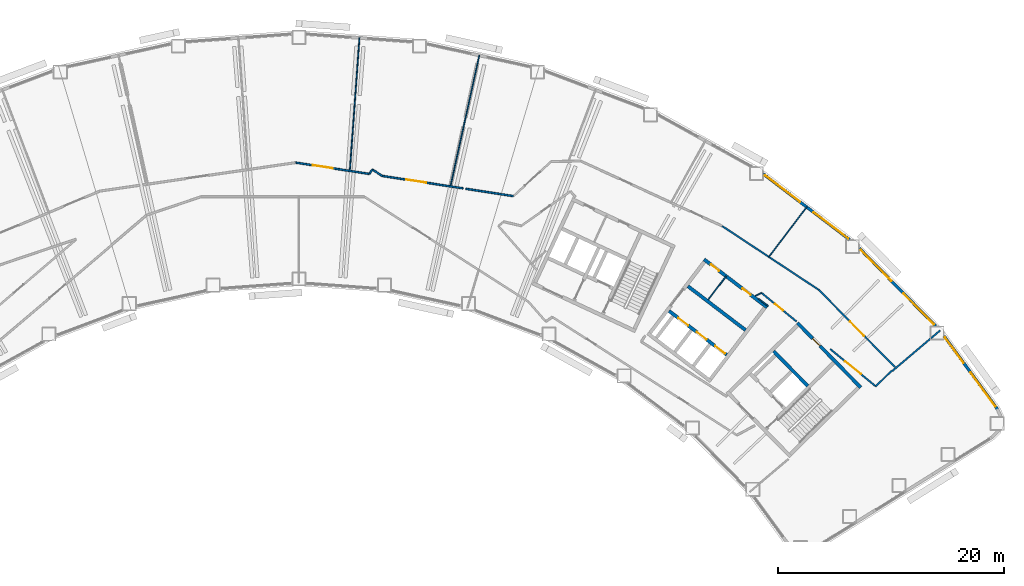
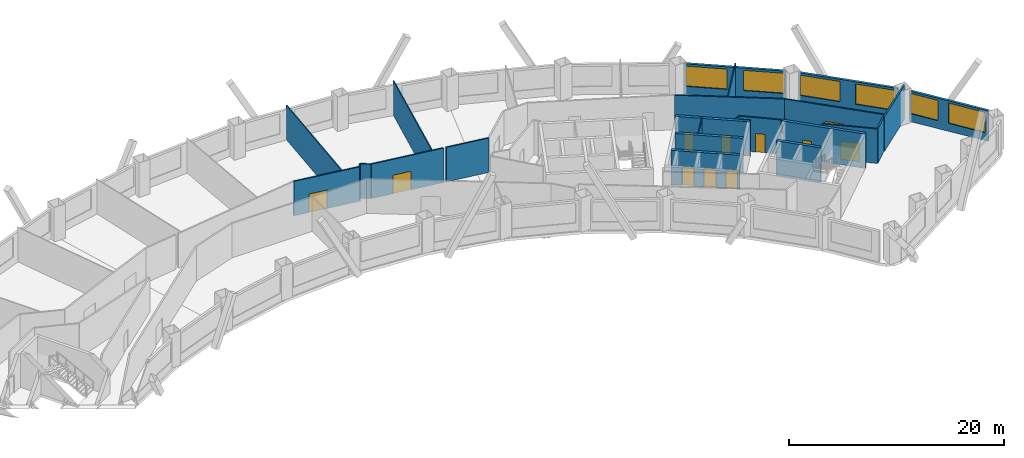
# One storey, part 7 of 11: 25 walls, 11 doors, 6 windows, 17 openings.
"""IFC4 building model written with IfcOpenShell, lengths in metres."""

from ifc_helpers import new_model, si_unit, direction, frame, frame_2d, origin, place, context, subcontext, project, spatial, rectangle, extrude, material, layer, layer_set, type_object, element, fill, save


model = new_model("IFC4")

# Units and contexts
model_context = context("Model", 3, precision=1e-05, world=origin(), true_north=direction((0.0, 1.0)))
body_context = subcontext(model_context, "Body", "Model", "MODEL_VIEW")
ifc_project = project(units=[si_unit("LENGTHUNIT", "METRE"), si_unit("AREAUNIT", "SQUARE_METRE"), si_unit("VOLUMEUNIT", "CUBIC_METRE"), si_unit("PLANEANGLEUNIT", "RADIAN"), si_unit("MASSUNIT", "GRAM", prefix="KILO")], contexts=[model_context])

# Site, building, storey
site_placement = place(None, origin())
site = spatial("IfcSite", under=ifc_project, at=site_placement, CompositionType="ELEMENT")
building_placement = place(site_placement, origin())
building = spatial("IfcBuilding", under=site, at=building_placement, Name="Tuul Gate Civic Tower", CompositionType="ELEMENT")
storey_placement = place(building_placement, frame((0.0, 0.0, 65.39990234375)))
storey = spatial("IfcBuildingStorey", under=building, at=storey_placement, Name="Level 14", CompositionType="ELEMENT", Elevation=65.39990234375)

# Wall
ifc_material_1 = material(Name="Concrete C50/60", Category="concrete")
ifc_layer_1 = layer(ifc_material_1, 0.300048828125)
ifc_layer_set_1 = layer_set([ifc_layer_1], Name="Concrete C50/60")
wall_type_1 = type_object("IfcWallType", Name="Core wall C50/60", PredefinedType="SHEAR", material=ifc_layer_set_1)
wall_1_placement = place(storey_placement, frame((49.737060546875, -12.0849609375, 0.0), z_axis=(0.0, 0.0, 1.0), x_axis=(-0.700002721075, 0.714140175657, 0.0)))
element("IfcWall", 1, at=wall_1_placement, inside=storey, type_object=wall_type_1, Name="Core wall", PredefinedType="SHEAR", context=body_context, shape_type="SweptSolid", body=[
    extrude(rectangle(XDim=4.300048828125, YDim=0.300048828125, at=frame_2d((2.14990234375, 0.0))), origin(), (0.0, 0.0, 1.0), 3.900146484375),
])

# Wall, opening, door
wall_2_placement = place(storey_placement, frame((54.43798828125, -12.23779296875, 0.0), z_axis=(0.0, 0.0, 1.0), x_axis=(-0.700021979774, 0.714121297703, 0.0)))
wall_2 = element("IfcWall", 2, at=wall_2_placement, inside=storey, type_object=wall_type_1, Name="Core wall", PredefinedType="SHEAR", context=body_context, shape_type="SweptSolid", body=[
    extrude(rectangle(XDim=8.0, YDim=0.300048828125, at=frame_2d((4.0, 0.0))), origin(), (0.0, 0.0, 1.0), 3.900146484375),
])
opening_1_placement = place(wall_2_placement, frame((5.175048828125, 0.0, 0.0)))
opening_1 = element("IfcOpeningElement", 3, at=opening_1_placement, cuts=wall_2, Name="Opening D-D26", PredefinedType="OPENING", context=body_context, shape_type="SweptSolid", body=[
    extrude(rectangle(XDim=0.89990234375, YDim=2.10009765625, at=frame_2d((0.449951171875, 1.050048828125))), frame((0.0, 0.16015625, 0.0), z_axis=(0.0, -1.0, 0.0), x_axis=(1.0, 0.0, 0.0)), (0.0, 0.0, 1.0), 0.320068359375),
])
ifc_material_2 = material(Name="Timber door leaf", Category="wood")
door_type_1 = type_object("IfcDoorType", Name="Door D09", OperationType="NOTDEFINED", PredefinedType="DOOR", material=ifc_material_2)
door_1_placement = place(opening_1_placement, origin())
door_1 = element("IfcDoor", 4, at=door_1_placement, inside=storey, type_object=door_type_1, Name="Door D-D26", OperationType="SINGLE_SWING_LEFT", OverallHeight=2.10009765625, OverallWidth=0.89990234375, PredefinedType="DOOR", context=body_context, shape_type="SweptSolid", body=[
    extrude(rectangle(XDim=0.89990234375, YDim=2.10009765625, at=frame_2d((0.449951171875, 1.050048828125))), frame((0.0, 0.02490234375, 0.0), z_axis=(0.0, -1.0, 0.0), x_axis=(1.0, 0.0, 0.0)), (0.0, 0.0, 1.0), 0.050048828125),
])
fill(opening_1, door_1)

# Walls
ifc_material_3 = material(Name="Gypsum board partition")
ifc_layer_2 = layer(ifc_material_3, 0.14990234375)
ifc_layer_set_2 = layer_set([ifc_layer_2], Name="Gypsum board partition")
wall_type_2 = type_object("IfcWallType", Name="Corridor wall P150", PredefinedType="PARTITIONING", material=ifc_layer_set_2)
wall_3_placement = place(storey_placement, frame((57.220703125, -10.765380859375, 0.0), z_axis=(0.0, 0.0, 1.0), x_axis=(0.762756963467, 0.646685251635, 0.0)))
element("IfcWall", 5, at=wall_3_placement, inside=storey, type_object=wall_type_2, Name="p005", PredefinedType="PARTITIONING", context=body_context, shape_type="SweptSolid", body=[
    extrude(rectangle(XDim=5.521240234375, YDim=0.14990234375, at=frame_2d((2.7607421875, 0.0))), origin(), (0.0, 0.0, 1.0), 3.900146484375),
])
wall_4_placement = place(storey_placement, frame((55.755859375, -12.125, 0.0), z_axis=(0.0, 0.0, 1.0), x_axis=(0.712114170621, 0.702063678024, 0.0)))
element("IfcWall", 6, at=wall_4_placement, inside=storey, type_object=wall_type_2, Name="p006", PredefinedType="PARTITIONING", context=body_context, shape_type="SweptSolid", body=[
    extrude(rectangle(XDim=1.991943359375, YDim=0.14990234375, at=frame_2d((0.99609375, 0.0))), origin(), (0.0, 0.0, 1.0), 3.900146484375),
])

# Wall, opening, door
wall_5_placement = place(storey_placement, frame((50.732421875, -3.612060546875, 0.0), z_axis=(0.0, 0.0, 1.0), x_axis=(0.702111461546, -0.712067058335, 0.0)))
wall_5 = element("IfcWall", 7, at=wall_5_placement, inside=storey, type_object=wall_type_2, Name="p007", PredefinedType="PARTITIONING", context=body_context, shape_type="SweptSolid", body=[
    extrude(rectangle(XDim=9.58837890625, YDim=0.14990234375, at=frame_2d((4.794189453125, 0.0))), origin(), (0.0, 0.0, 1.0), 3.900146484375),
])
opening_2_placement = place(wall_5_placement, frame((3.894287109375, 0.0, 0.0)))
opening_2 = element("IfcOpeningElement", 8, at=opening_2_placement, cuts=wall_5, Name="Opening D-D01", PredefinedType="OPENING", context=body_context, shape_type="SweptSolid", body=[
    extrude(rectangle(XDim=1.800048828125, YDim=2.10009765625, at=frame_2d((0.89990234375, 1.050048828125))), frame((0.0, 0.0849609375, 0.0), z_axis=(0.0, -1.0, 0.0), x_axis=(1.0, 0.0, 0.0)), (0.0, 0.0, 1.0), 0.169921875),
])
ifc_material_4 = material(Name="Timber door leaf, double", Category="wood")
door_type_2 = type_object("IfcDoorType", Name="Door D18", OperationType="DOUBLE_DOOR_SINGLE_SWING", PredefinedType="DOOR", material=ifc_material_4)
door_2_placement = place(opening_2_placement, origin())
door_2 = element("IfcDoor", 9, at=door_2_placement, inside=storey, type_object=door_type_2, Name="Door D-D01", OperationType="DOUBLE_DOOR_SINGLE_SWING", OverallHeight=2.10009765625, OverallWidth=1.800048828125, PredefinedType="DOOR", context=body_context, shape_type="SweptSolid", body=[
    extrude(rectangle(XDim=1.800048828125, YDim=2.10009765625, at=frame_2d((0.89990234375, 1.050048828125))), frame((0.0, 0.02490234375, 0.0), z_axis=(0.0, -1.0, 0.0), x_axis=(1.0, 0.0, 0.0)), (0.0, 0.0, 1.0), 0.050048828125),
])
fill(opening_2, door_2)

# Wall
wall_6_placement = place(storey_placement, frame((42.18701171875, 2.031005859375, 0.0), z_axis=(0.0, 0.0, 1.0), x_axis=(0.83447433261, -0.551046811274, 0.0)))
element("IfcWall", 10, at=wall_6_placement, inside=storey, type_object=wall_type_2, Name="p008", PredefinedType="PARTITIONING", context=body_context, shape_type="SweptSolid", body=[
    extrude(rectangle(XDim=10.2392578125, YDim=0.14990234375, at=frame_2d((5.11962890625, 0.0))), origin(), (0.0, 0.0, 1.0), 3.900146484375),
])

# Wall, opening, door
wall_7_placement = place(storey_placement, frame((4.53759765625, 7.633056640625, 0.0), z_axis=(0.0, 0.0, 1.0), x_axis=(0.988356636403, -0.152155050121, 0.0)))
wall_7 = element("IfcWall", 11, at=wall_7_placement, inside=storey, type_object=wall_type_2, Name="p015", PredefinedType="PARTITIONING", context=body_context, shape_type="SweptSolid", body=[
    extrude(rectangle(XDim=6.56103515625, YDim=0.14990234375, at=frame_2d((3.280517578125, 0.0))), origin(), (0.0, 0.0, 1.0), 3.900146484375),
])
opening_3_placement = place(wall_7_placement, frame((1.51220703125, 0.0, 0.0)))
opening_3 = element("IfcOpeningElement", 12, at=opening_3_placement, cuts=wall_7, Name="Opening D-D06", PredefinedType="OPENING", context=body_context, shape_type="SweptSolid", body=[
    extrude(rectangle(XDim=1.800048828125, YDim=2.10009765625, at=frame_2d((0.89990234375, 1.050048828125))), frame((0.0, 0.0849609375, 0.0), z_axis=(0.0, -1.0, 0.0), x_axis=(1.0, 0.0, 0.0)), (0.0, 0.0, 1.0), 0.169921875),
])
door_3_placement = place(opening_3_placement, origin())
door_3 = element("IfcDoor", 13, at=door_3_placement, inside=storey, type_object=door_type_2, Name="Door D-D06", OperationType="DOUBLE_DOOR_SINGLE_SWING", OverallHeight=2.10009765625, OverallWidth=1.800048828125, PredefinedType="DOOR", context=body_context, shape_type="SweptSolid", body=[
    extrude(rectangle(XDim=1.800048828125, YDim=2.10009765625, at=frame_2d((0.89990234375, 1.050048828125))), frame((0.0, 0.02490234375, 0.0), z_axis=(0.0, -1.0, 0.0), x_axis=(1.0, 0.0, 0.0)), (0.0, 0.0, 1.0), 0.050048828125),
])
fill(opening_3, door_3)

wall_8_placement = place(storey_placement, frame((12.17724609375, 6.456787109375, 0.0), z_axis=(0.0, 0.0, 1.0), x_axis=(0.988356444346, -0.15215629767, 0.0)))
wall_8 = element("IfcWall", 14, at=wall_8_placement, inside=storey, type_object=wall_type_2, Name="p016", PredefinedType="PARTITIONING", context=body_context, shape_type="SweptSolid", body=[
    extrude(rectangle(XDim=7.21875, YDim=0.14990234375, at=frame_2d((3.609375, 0.0))), origin(), (0.0, 0.0, 1.0), 3.900146484375),
])
opening_4_placement = place(wall_8_placement, frame((2.14208984375, 0.0, 0.0)))
opening_4 = element("IfcOpeningElement", 15, at=opening_4_placement, cuts=wall_8, Name="Opening D-D05", PredefinedType="OPENING", context=body_context, shape_type="SweptSolid", body=[
    extrude(rectangle(XDim=1.800048828125, YDim=2.10009765625, at=frame_2d((0.89990234375, 1.050048828125))), frame((0.0, 0.0849609375, 0.0), z_axis=(0.0, -1.0, 0.0), x_axis=(1.0, 0.0, 0.0)), (0.0, 0.0, 1.0), 0.169921875),
])
door_4_placement = place(opening_4_placement, origin())
door_4 = element("IfcDoor", 16, at=door_4_placement, inside=storey, type_object=door_type_2, Name="Door D-D05", OperationType="DOUBLE_DOOR_SINGLE_SWING", OverallHeight=2.10009765625, OverallWidth=1.800048828125, PredefinedType="DOOR", context=body_context, shape_type="SweptSolid", body=[
    extrude(rectangle(XDim=1.800048828125, YDim=2.10009765625, at=frame_2d((0.89990234375, 1.050048828125))), frame((0.0, 0.02490234375, 0.0), z_axis=(0.0, -1.0, 0.0), x_axis=(1.0, 0.0, 0.0)), (0.0, 0.0, 1.0), 0.050048828125),
])
fill(opening_4, door_4)

# Walls
wall_9_placement = place(storey_placement, frame((19.557861328125, 5.3203125, 0.0), z_axis=(0.0, 0.0, 1.0), x_axis=(0.988357045935, -0.152152389894, 0.0)))
element("IfcWall", 17, at=wall_9_placement, inside=storey, type_object=wall_type_2, Name="p017", PredefinedType="PARTITIONING", context=body_context, shape_type="SweptSolid", body=[
    extrude(rectangle(XDim=4.2392578125, YDim=0.14990234375, at=frame_2d((2.11962890625, 0.0))), origin(), (0.0, 0.0, 1.0), 3.900146484375),
])
wall_10_placement = place(storey_placement, frame((11.286865234375, 7.02490234375, 0.0), z_axis=(0.0, 0.0, 1.0), x_axis=(0.842191023911, -0.539179264478, 0.0)))
element("IfcWall", 18, at=wall_10_placement, inside=storey, type_object=wall_type_2, Name="p020", PredefinedType="PARTITIONING", context=body_context, shape_type="SweptSolid", body=[
    extrude(rectangle(XDim=1.04833984375, YDim=0.14990234375, at=frame_2d((0.524169921875, 0.0))), origin(), (0.0, 0.0, 1.0), 3.900146484375),
])
wall_11_placement = place(storey_placement, frame((11.0419921875, 6.6435546875, 0.0), z_axis=(0.0, 0.0, 1.0), x_axis=(0.539421014739, 0.842036204007, 0.0)))
element("IfcWall", 19, at=wall_11_placement, inside=storey, type_object=wall_type_2, Name="p022", PredefinedType="PARTITIONING", context=body_context, shape_type="SweptSolid", body=[
    extrude(rectangle(XDim=0.45263671875, YDim=0.14990234375, at=frame_2d((0.226318359375, 0.0))), origin(), (0.0, 0.0, 1.0), 3.900146484375),
])

# Wall, opening, door
wall_12_placement = place(storey_placement, frame((45.670166015625, -3.87744140625, 0.0), z_axis=(0.0, 0.0, 1.0), x_axis=(0.774123920391, -0.633034087454, 0.0)))
wall_12 = element("IfcWall", 20, at=wall_12_placement, inside=storey, type_object=wall_type_2, Name="p061", PredefinedType="PARTITIONING", context=body_context, shape_type="SweptSolid", body=[
    extrude(rectangle(XDim=3.981689453125, YDim=0.14990234375, at=frame_2d((1.99072265625, 0.0))), origin(), (0.0, 0.0, 1.0), 3.900146484375),
])
opening_5_placement = place(wall_12_placement, frame((1.541015625, 0.0, 0.0)))
opening_5 = element("IfcOpeningElement", 21, at=opening_5_placement, cuts=wall_12, Name="Opening D-D19", PredefinedType="OPENING", context=body_context, shape_type="SweptSolid", body=[
    extrude(rectangle(XDim=0.89990234375, YDim=2.10009765625, at=frame_2d((0.449951171875, 1.050048828125))), frame((0.0, 0.0849609375, 0.0), z_axis=(0.0, -1.0, 0.0), x_axis=(1.0, 0.0, 0.0)), (0.0, 0.0, 1.0), 0.169921875),
])
door_5_placement = place(opening_5_placement, frame((0.89990234375, 0.0, 0.0), z_axis=(0.0, 0.0, 1.0), x_axis=(-1.0, 0.0, 0.0)))
door_5 = element("IfcDoor", 22, at=door_5_placement, inside=storey, type_object=door_type_1, Name="Door D-D19", OperationType="SINGLE_SWING_LEFT", OverallHeight=2.10009765625, OverallWidth=0.89990234375, PredefinedType="DOOR", context=body_context, shape_type="SweptSolid", body=[
    extrude(rectangle(XDim=0.89990234375, YDim=2.10009765625, at=frame_2d((0.449951171875, 1.050048828125))), frame((0.0, 0.02490234375, 0.0), z_axis=(0.0, -1.0, 0.0), x_axis=(1.0, 0.0, 0.0)), (0.0, 0.0, 1.0), 0.050048828125),
])
fill(opening_5, door_5)

wall_13_placement = place(storey_placement, frame((51.736328125, -8.838134765625, 0.0), z_axis=(0.0, 0.0, 1.0), x_axis=(0.77413114954, -0.633025246979, 0.0)))
wall_13 = element("IfcWall", 23, at=wall_13_placement, inside=storey, type_object=wall_type_2, Name="p062", PredefinedType="PARTITIONING", context=body_context, shape_type="SweptSolid", body=[
    extrude(rectangle(XDim=5.1923828125, YDim=0.14990234375, at=frame_2d((2.59619140625, 0.0))), origin(), (0.0, 0.0, 1.0), 3.900146484375),
])
opening_6_placement = place(wall_13_placement, frame((1.6962890625, 0.0, 0.0)))
opening_6 = element("IfcOpeningElement", 24, at=opening_6_placement, cuts=wall_13, Name="Opening D-D21", PredefinedType="OPENING", context=body_context, shape_type="SweptSolid", body=[
    extrude(rectangle(XDim=1.800048828125, YDim=2.10009765625, at=frame_2d((0.89990234375, 1.050048828125))), frame((0.0, 0.0849609375, 0.0), z_axis=(0.0, -1.0, 0.0), x_axis=(1.0, 0.0, 0.0)), (0.0, 0.0, 1.0), 0.169921875),
])
door_6_placement = place(opening_6_placement, origin())
door_6 = element("IfcDoor", 25, at=door_6_placement, inside=storey, type_object=door_type_2, Name="Door D-D21", OperationType="DOUBLE_DOOR_SINGLE_SWING", OverallHeight=2.10009765625, OverallWidth=1.800048828125, PredefinedType="DOOR", context=body_context, shape_type="SweptSolid", body=[
    extrude(rectangle(XDim=1.800048828125, YDim=2.10009765625, at=frame_2d((0.89990234375, 1.050048828125))), frame((0.0, 0.02490234375, 0.0), z_axis=(0.0, -1.0, 0.0), x_axis=(1.0, 0.0, 0.0)), (0.0, 0.0, 1.0), 0.050048828125),
])
fill(opening_6, door_6)

# Wall, openings, windows
ifc_material_5 = material(Name="Precast concrete C40/50", Category="concrete")
ifc_layer_3 = layer(ifc_material_5, 0.25)
ifc_layer_set_3 = layer_set([ifc_layer_3], Name="Precast concrete C40/50")
wall_type_3 = type_object("IfcWallType", Name="External wall", PredefinedType="STANDARD", material=ifc_layer_set_3)
wall_14_placement = place(storey_placement, frame((66.498046875, -14.138671875, 0.0), z_axis=(0.0, 0.0, 1.0), x_axis=(-0.589838269776, 0.807521402508, 0.0)))
wall_14 = element("IfcWall", 26, at=wall_14_placement, inside=storey, type_object=wall_type_3, Name="External wall", PredefinedType="STANDARD", context=body_context, shape_type="SweptSolid", body=[
    extrude(rectangle(XDim=7.998779296875, YDim=0.25, at=frame_2d((3.99951171875, 0.0))), origin(), (0.0, 0.0, 1.0), 3.4501953125),
])
opening_7_placement = place(wall_14_placement, frame((0.301025390625, 0.0, 0.89990234375)))
opening_7 = element("IfcOpeningElement", 27, at=opening_7_placement, cuts=wall_14, Name="Opening W21", PredefinedType="OPENING", context=body_context, shape_type="SweptSolid", body=[
    extrude(rectangle(XDim=3.699951171875, YDim=2.300048828125, at=frame_2d((1.85009765625, 1.14990234375))), frame((0.0, 0.135009765625, 0.0), z_axis=(0.0, -1.0, 0.0), x_axis=(1.0, 0.0, 0.0)), (0.0, 0.0, 1.0), 0.27001953125),
])
opening_8_placement = place(wall_14_placement, frame((5.052978515625, 0.0, 0.89990234375)))
opening_8 = element("IfcOpeningElement", 28, at=opening_8_placement, cuts=wall_14, Name="Opening W23", PredefinedType="OPENING", context=body_context, shape_type="SweptSolid", body=[
    extrude(rectangle(XDim=2.800048828125, YDim=2.300048828125, at=frame_2d((1.39990234375, 1.14990234375))), frame((0.0, 0.135009765625, 0.0), z_axis=(0.0, -1.0, 0.0), x_axis=(1.0, 0.0, 0.0)), (0.0, 0.0, 1.0), 0.27001953125),
])
ifc_material_6 = material(Name="Glass", Category="glass")
window_type_1 = type_object("IfcWindowType", Name="Window W21 3700 x 2300", PartitioningType="SINGLE_PANEL", PredefinedType="WINDOW", material=ifc_material_6)
window_1_placement = place(opening_7_placement, origin())
window_1 = element("IfcWindow", 29, at=window_1_placement, inside=storey, type_object=window_type_1, Name="Window", OverallHeight=2.300048828125, OverallWidth=3.699951171875, PartitioningType="SINGLE_PANEL", PredefinedType="WINDOW", context=body_context, shape_type="SweptSolid", body=[
    extrude(rectangle(XDim=3.699951171875, YDim=2.300048828125, at=frame_2d((1.85009765625, 1.14990234375))), frame((0.0, 0.030029296875, 0.0), z_axis=(0.0, -1.0, 0.0), x_axis=(1.0, 0.0, 0.0)), (0.0, 0.0, 1.0), 0.06005859375),
])
fill(opening_7, window_1)
ifc_material_7 = material(Name="Glass", Category="glass")
window_type_2 = type_object("IfcWindowType", Name="Window W23 2800 x 2300", PartitioningType="SINGLE_PANEL", PredefinedType="WINDOW", material=ifc_material_7)
window_2_placement = place(opening_8_placement, origin())
window_2 = element("IfcWindow", 30, at=window_2_placement, inside=storey, type_object=window_type_2, Name="Window", OverallHeight=2.300048828125, OverallWidth=2.800048828125, PartitioningType="SINGLE_PANEL", PredefinedType="WINDOW", context=body_context, shape_type="SweptSolid", body=[
    extrude(rectangle(XDim=2.800048828125, YDim=2.300048828125, at=frame_2d((1.39990234375, 1.14990234375))), frame((0.0, 0.030029296875, 0.0), z_axis=(0.0, -1.0, 0.0), x_axis=(1.0, 0.0, 0.0)), (0.0, 0.0, 1.0), 0.06005859375),
])
fill(opening_8, window_2)

wall_15_placement = place(storey_placement, frame((61.047119140625, -6.80908203125, 0.0), z_axis=(0.0, 0.0, 1.0), x_axis=(-0.700049104252, 0.714094707749, 0.0)))
wall_15 = element("IfcWall", 31, at=wall_15_placement, inside=storey, type_object=wall_type_3, Name="External wall", PredefinedType="STANDARD", context=body_context, shape_type="SweptSolid", body=[
    extrude(rectangle(XDim=9.629638671875, YDim=0.25, at=frame_2d((4.81494140625, 0.0))), origin(), (0.0, 0.0, 1.0), 3.4501953125),
])
opening_9_placement = place(wall_15_placement, frame((0.206787109375, 0.0, 0.89990234375)))
opening_9 = element("IfcOpeningElement", 32, at=opening_9_placement, cuts=wall_15, Name="Opening W22", PredefinedType="OPENING", context=body_context, shape_type="SweptSolid", body=[
    extrude(rectangle(XDim=3.85009765625, YDim=2.300048828125, at=frame_2d((1.925048828125, 1.14990234375))), frame((0.0, 0.135009765625, 0.0), z_axis=(0.0, -1.0, 0.0), x_axis=(1.0, 0.0, 0.0)), (0.0, 0.0, 1.0), 0.27001953125),
])
opening_10_placement = place(wall_15_placement, frame((5.577880859375, 0.0, 0.89990234375)))
opening_10 = element("IfcOpeningElement", 33, at=opening_10_placement, cuts=wall_15, Name="Opening W22", PredefinedType="OPENING", context=body_context, shape_type="SweptSolid", body=[
    extrude(rectangle(XDim=3.85009765625, YDim=2.300048828125, at=frame_2d((1.925048828125, 1.14990234375))), frame((0.0, 0.135009765625, 0.0), z_axis=(0.0, -1.0, 0.0), x_axis=(1.0, 0.0, 0.0)), (0.0, 0.0, 1.0), 0.27001953125),
])
ifc_material_8 = material(Name="Glass", Category="glass")
window_type_3 = type_object("IfcWindowType", Name="Window W22 3850 x 2300", PartitioningType="SINGLE_PANEL", PredefinedType="WINDOW", material=ifc_material_8)
window_3_placement = place(opening_9_placement, origin())
window_3 = element("IfcWindow", 34, at=window_3_placement, inside=storey, type_object=window_type_3, Name="Window", OverallHeight=2.300048828125, OverallWidth=3.85009765625, PartitioningType="SINGLE_PANEL", PredefinedType="WINDOW", context=body_context, shape_type="SweptSolid", body=[
    extrude(rectangle(XDim=3.85009765625, YDim=2.300048828125, at=frame_2d((1.925048828125, 1.14990234375))), frame((0.0, 0.030029296875, 0.0), z_axis=(0.0, -1.0, 0.0), x_axis=(1.0, 0.0, 0.0)), (0.0, 0.0, 1.0), 0.06005859375),
])
fill(opening_9, window_3)
window_4_placement = place(opening_10_placement, origin())
window_4 = element("IfcWindow", 35, at=window_4_placement, inside=storey, type_object=window_type_3, Name="Window", OverallHeight=2.300048828125, OverallWidth=3.85009765625, PartitioningType="SINGLE_PANEL", PredefinedType="WINDOW", context=body_context, shape_type="SweptSolid", body=[
    extrude(rectangle(XDim=3.85009765625, YDim=2.300048828125, at=frame_2d((1.925048828125, 1.14990234375))), frame((0.0, 0.030029296875, 0.0), z_axis=(0.0, -1.0, 0.0), x_axis=(1.0, 0.0, 0.0)), (0.0, 0.0, 1.0), 0.06005859375),
])
fill(opening_10, window_4)

wall_16_placement = place(storey_placement, frame((53.45361328125, 0.81591796875, 0.0), z_axis=(0.0, 0.0, 1.0), x_axis=(-0.795611381341, 0.605807337262, 0.0)))
wall_16 = element("IfcWall", 36, at=wall_16_placement, inside=storey, type_object=wall_type_3, Name="External wall", PredefinedType="STANDARD", context=body_context, shape_type="SweptSolid", body=[
    extrude(rectangle(XDim=9.60595703125, YDim=0.25, at=frame_2d((4.802978515625, 0.0))), origin(), (0.0, 0.0, 1.0), 3.4501953125),
])
opening_11_placement = place(wall_16_placement, frame((0.1640625, 0.0, 0.89990234375)))
opening_11 = element("IfcOpeningElement", 37, at=opening_11_placement, cuts=wall_16, Name="Opening W22", PredefinedType="OPENING", context=body_context, shape_type="SweptSolid", body=[
    extrude(rectangle(XDim=3.85009765625, YDim=2.300048828125, at=frame_2d((1.925048828125, 1.14990234375))), frame((0.0, 0.135009765625, 0.0), z_axis=(0.0, -1.0, 0.0), x_axis=(1.0, 0.0, 0.0)), (0.0, 0.0, 1.0), 0.27001953125),
])
opening_12_placement = place(wall_16_placement, frame((5.535400390625, 0.0, 0.89990234375)))
opening_12 = element("IfcOpeningElement", 38, at=opening_12_placement, cuts=wall_16, Name="Opening W22", PredefinedType="OPENING", context=body_context, shape_type="SweptSolid", body=[
    extrude(rectangle(XDim=3.85009765625, YDim=2.300048828125, at=frame_2d((1.925048828125, 1.14990234375))), frame((0.0, 0.135009765625, 0.0), z_axis=(0.0, -1.0, 0.0), x_axis=(1.0, 0.0, 0.0)), (0.0, 0.0, 1.0), 0.27001953125),
])
window_5_placement = place(opening_11_placement, origin())
window_5 = element("IfcWindow", 39, at=window_5_placement, inside=storey, type_object=window_type_3, Name="Window", OverallHeight=2.300048828125, OverallWidth=3.85009765625, PartitioningType="SINGLE_PANEL", PredefinedType="WINDOW", context=body_context, shape_type="SweptSolid", body=[
    extrude(rectangle(XDim=3.85009765625, YDim=2.300048828125, at=frame_2d((1.925048828125, 1.14990234375))), frame((0.0, 0.030029296875, 0.0), z_axis=(0.0, -1.0, 0.0), x_axis=(1.0, 0.0, 0.0)), (0.0, 0.0, 1.0), 0.06005859375),
])
fill(opening_11, window_5)
window_6_placement = place(opening_12_placement, origin())
window_6 = element("IfcWindow", 40, at=window_6_placement, inside=storey, type_object=window_type_3, Name="Window", OverallHeight=2.300048828125, OverallWidth=3.85009765625, PartitioningType="SINGLE_PANEL", PredefinedType="WINDOW", context=body_context, shape_type="SweptSolid", body=[
    extrude(rectangle(XDim=3.85009765625, YDim=2.300048828125, at=frame_2d((1.925048828125, 1.14990234375))), frame((0.0, 0.030029296875, 0.0), z_axis=(0.0, -1.0, 0.0), x_axis=(1.0, 0.0, 0.0)), (0.0, 0.0, 1.0), 0.06005859375),
])
fill(opening_12, window_6)

# Wall, openings, doors
ifc_material_9 = material(Name="Concrete C40/50", Category="concrete")
ifc_layer_4 = layer(ifc_material_9, 0.300048828125)
ifc_layer_set_4 = layer_set([ifc_layer_4], Name="Concrete C40/50")
wall_type_4 = type_object("IfcWallType", Name="Lift shaft wall C40/50", PredefinedType="STANDARD", material=ifc_layer_set_4)
wall_17_placement = place(storey_placement, frame((42.5888671875, -9.34765625, 0.0), z_axis=(0.0, 0.0, 1.0), x_axis=(-0.795584062101, 0.605843214149, 0.0)))
wall_17 = element("IfcWall", 41, at=wall_17_placement, inside=storey, type_object=wall_type_4, Name="Shaft wall", PredefinedType="STANDARD", context=body_context, shape_type="SweptSolid", body=[
    extrude(rectangle(XDim=6.400146484375, YDim=0.300048828125, at=frame_2d((3.2001953125, 0.0))), origin(), (0.0, 0.0, 1.0), 3.900146484375),
])
opening_13_placement = place(wall_17_placement, frame((0.175048828125, 0.0, 0.0)))
opening_13 = element("IfcOpeningElement", 42, at=opening_13_placement, cuts=wall_17, Name="Opening LD-L1", PredefinedType="OPENING", context=body_context, shape_type="SweptSolid", body=[
    extrude(rectangle(XDim=1.10009765625, YDim=2.10009765625, at=frame_2d((0.550048828125, 1.050048828125))), frame((0.0, 0.16015625, 0.0), z_axis=(0.0, -1.0, 0.0), x_axis=(1.0, 0.0, 0.0)), (0.0, 0.0, 1.0), 0.320068359375),
])
opening_14_placement = place(wall_17_placement, frame((2.22509765625, 0.0, 0.0)))
opening_14 = element("IfcOpeningElement", 43, at=opening_14_placement, cuts=wall_17, Name="Opening LD-L2", PredefinedType="OPENING", context=body_context, shape_type="SweptSolid", body=[
    extrude(rectangle(XDim=1.10009765625, YDim=2.10009765625, at=frame_2d((0.550048828125, 1.050048828125))), frame((0.0, 0.16015625, 0.0), z_axis=(0.0, -1.0, 0.0), x_axis=(1.0, 0.0, 0.0)), (0.0, 0.0, 1.0), 0.320068359375),
])
opening_15_placement = place(wall_17_placement, frame((4.27490234375, 0.0, 0.0)))
opening_15 = element("IfcOpeningElement", 44, at=opening_15_placement, cuts=wall_17, Name="Opening LD-L3", PredefinedType="OPENING", context=body_context, shape_type="SweptSolid", body=[
    extrude(rectangle(XDim=1.10009765625, YDim=2.10009765625, at=frame_2d((0.550048828125, 1.050048828125))), frame((0.0, 0.16015625, 0.0), z_axis=(0.0, -1.0, 0.0), x_axis=(1.0, 0.0, 0.0)), (0.0, 0.0, 1.0), 0.320068359375),
])
ifc_material_10 = material(Name="Stainless steel", Category="steel")
door_type_3 = type_object("IfcDoorType", Name="Landing door", OperationType="DOUBLE_DOOR_SLIDING", PredefinedType="DOOR", material=ifc_material_10)
door_7_placement = place(opening_13_placement, origin())
door_7 = element("IfcDoor", 45, at=door_7_placement, inside=storey, type_object=door_type_3, Name="Low-rise lift L1 landing door", OperationType="DOUBLE_DOOR_SLIDING", OverallHeight=2.10009765625, OverallWidth=1.10009765625, PredefinedType="DOOR", context=body_context, shape_type="SweptSolid", body=[
    extrude(rectangle(XDim=1.10009765625, YDim=2.10009765625, at=frame_2d((0.550048828125, 1.050048828125))), frame((0.0, 0.02490234375, 0.0), z_axis=(0.0, -1.0, 0.0), x_axis=(1.0, 0.0, 0.0)), (0.0, 0.0, 1.0), 0.050048828125),
])
fill(opening_13, door_7)
door_8_placement = place(opening_14_placement, origin())
door_8 = element("IfcDoor", 46, at=door_8_placement, inside=storey, type_object=door_type_3, Name="Low-rise lift L2 landing door", OperationType="DOUBLE_DOOR_SLIDING", OverallHeight=2.10009765625, OverallWidth=1.10009765625, PredefinedType="DOOR", context=body_context, shape_type="SweptSolid", body=[
    extrude(rectangle(XDim=1.10009765625, YDim=2.10009765625, at=frame_2d((0.550048828125, 1.050048828125))), frame((0.0, 0.02490234375, 0.0), z_axis=(0.0, -1.0, 0.0), x_axis=(1.0, 0.0, 0.0)), (0.0, 0.0, 1.0), 0.050048828125),
])
fill(opening_14, door_8)
door_9_placement = place(opening_15_placement, origin())
door_9 = element("IfcDoor", 47, at=door_9_placement, inside=storey, type_object=door_type_3, Name="Low-rise lift L3 landing door", OperationType="DOUBLE_DOOR_SLIDING", OverallHeight=2.10009765625, OverallWidth=1.10009765625, PredefinedType="DOOR", context=body_context, shape_type="SweptSolid", body=[
    extrude(rectangle(XDim=1.10009765625, YDim=2.10009765625, at=frame_2d((0.550048828125, 1.050048828125))), frame((0.0, 0.02490234375, 0.0), z_axis=(0.0, -1.0, 0.0), x_axis=(1.0, 0.0, 0.0)), (0.0, 0.0, 1.0), 0.050048828125),
])
fill(opening_15, door_9)

# Wall
wall_18_placement = place(storey_placement, frame((44.254638671875, -7.15966796875, 0.0), z_axis=(0.0, 0.0, 1.0), x_axis=(-0.795565675562, 0.605867358312, 0.0)))
element("IfcWall", 48, at=wall_18_placement, inside=storey, type_object=wall_type_4, Name="Shaft wall", PredefinedType="STANDARD", context=body_context, shape_type="SweptSolid", body=[
    extrude(rectangle(XDim=6.400146484375, YDim=0.300048828125, at=frame_2d((3.2001953125, 0.0))), origin(), (0.0, 0.0, 1.0), 3.900146484375),
])

# Wall, openings, doors
wall_19_placement = place(storey_placement, frame((46.1591796875, -5.1533203125, 0.0), z_axis=(0.0, 0.0, 1.0), x_axis=(-0.795579811045, 0.605848796531, 0.0)))
wall_19 = element("IfcWall", 49, at=wall_19_placement, inside=storey, type_object=wall_type_4, Name="Shaft wall", PredefinedType="STANDARD", context=body_context, shape_type="SweptSolid", body=[
    extrude(rectangle(XDim=7.0, YDim=0.300048828125, at=frame_2d((3.5, 0.0))), origin(), (0.0, 0.0, 1.0), 3.900146484375),
])
opening_16_placement = place(wall_19_placement, frame((1.824951171875, 0.0, 0.0)))
opening_16 = element("IfcOpeningElement", 50, at=opening_16_placement, cuts=wall_19, Name="Opening D-D24", PredefinedType="OPENING", context=body_context, shape_type="SweptSolid", body=[
    extrude(rectangle(XDim=0.89990234375, YDim=2.10009765625, at=frame_2d((0.449951171875, 1.050048828125))), frame((0.0, 0.16015625, 0.0), z_axis=(0.0, -1.0, 0.0), x_axis=(1.0, 0.0, 0.0)), (0.0, 0.0, 1.0), 0.320068359375),
])
opening_17_placement = place(wall_19_placement, frame((5.324951171875, 0.0, 0.0)))
opening_17 = element("IfcOpeningElement", 51, at=opening_17_placement, cuts=wall_19, Name="Opening D-D25", PredefinedType="OPENING", context=body_context, shape_type="SweptSolid", body=[
    extrude(rectangle(XDim=0.89990234375, YDim=2.10009765625, at=frame_2d((0.449951171875, 1.050048828125))), frame((0.0, 0.16015625, 0.0), z_axis=(0.0, -1.0, 0.0), x_axis=(1.0, 0.0, 0.0)), (0.0, 0.0, 1.0), 0.320068359375),
])
door_10_placement = place(opening_16_placement, origin())
door_10 = element("IfcDoor", 52, at=door_10_placement, inside=storey, type_object=door_type_1, Name="Door D-D24", OperationType="SINGLE_SWING_LEFT", OverallHeight=2.10009765625, OverallWidth=0.89990234375, PredefinedType="DOOR", context=body_context, shape_type="SweptSolid", body=[
    extrude(rectangle(XDim=0.89990234375, YDim=2.10009765625, at=frame_2d((0.449951171875, 1.050048828125))), frame((0.0, 0.02490234375, 0.0), z_axis=(0.0, -1.0, 0.0), x_axis=(1.0, 0.0, 0.0)), (0.0, 0.0, 1.0), 0.050048828125),
])
fill(opening_16, door_10)
door_11_placement = place(opening_17_placement, origin())
door_11 = element("IfcDoor", 53, at=door_11_placement, inside=storey, type_object=door_type_1, Name="Door D-D25", OperationType="SINGLE_SWING_RIGHT", OverallHeight=2.10009765625, OverallWidth=0.89990234375, PredefinedType="DOOR", context=body_context, shape_type="SweptSolid", body=[
    extrude(rectangle(XDim=0.89990234375, YDim=2.10009765625, at=frame_2d((0.449951171875, 1.050048828125))), frame((0.0, 0.02490234375, 0.0), z_axis=(0.0, -1.0, 0.0), x_axis=(1.0, 0.0, 0.0)), (0.0, 0.0, 1.0), 0.050048828125),
])
fill(opening_17, door_11)

# Walls
ifc_material_11 = material(Name="Gypsum board partition")
ifc_layer_5 = layer(ifc_material_11, 0.10009765625)
ifc_layer_set_5 = layer_set([ifc_layer_5], Name="Gypsum board partition")
wall_type_5 = type_object("IfcWallType", Name="Partition P100", PredefinedType="PARTITIONING", material=ifc_layer_set_5)
wall_20_placement = place(storey_placement, frame((46.306396484375, -0.689208984375, 0.0), z_axis=(0.0, 0.0, 1.0), x_axis=(0.605809182621, 0.795609976215, 0.0)))
element("IfcWall", 54, at=wall_20_placement, inside=storey, type_object=wall_type_5, Name="p001", PredefinedType="PARTITIONING", context=body_context, shape_type="SweptSolid", body=[
    extrude(rectangle(XDim=5.532470703125, YDim=0.10009765625, at=frame_2d((2.76611328125, 0.0))), origin(), (0.0, 0.0, 1.0), 3.900146484375),
])
wall_21_placement = place(storey_placement, frame((18.19091796875, 5.531005859375, 0.0), z_axis=(0.0, 0.0, 1.0), x_axis=(0.215214146371, 0.976566880045, 0.0)))
element("IfcWall", 55, at=wall_21_placement, inside=storey, type_object=wall_type_5, Name="p013", PredefinedType="PARTITIONING", context=body_context, shape_type="SweptSolid", body=[
    extrude(rectangle(XDim=11.855712890625, YDim=0.10009765625, at=frame_2d((5.927734375, 0.0))), origin(), (0.0, 0.0, 1.0), 3.900146484375),
])
wall_22_placement = place(storey_placement, frame((9.3056640625, 6.89892578125, 0.0), z_axis=(0.0, 0.0, 1.0), x_axis=(0.07225424524, 0.997386246168, 0.0)))
element("IfcWall", 56, at=wall_22_placement, inside=storey, type_object=wall_type_5, Name="p019", PredefinedType="PARTITIONING", context=body_context, shape_type="SweptSolid", body=[
    extrude(rectangle(XDim=11.7822265625, YDim=0.10009765625, at=frame_2d((5.89111328125, 0.0))), origin(), (0.0, 0.0, 1.0), 3.900146484375),
])
wall_23_placement = place(storey_placement, frame((46.25, -5.0341796875, 0.0), z_axis=(0.0, 0.0, 1.0), x_axis=(-0.795593221317, 0.605831186218, 0.0)))
element("IfcWall", 57, at=wall_23_placement, inside=storey, type_object=wall_type_5, Name="p067", PredefinedType="PARTITIONING", context=body_context, shape_type="SweptSolid", body=[
    extrude(rectangle(XDim=1.07568359375, YDim=0.10009765625, at=frame_2d((0.537841796875, 0.0))), origin(), (0.0, 0.0, 1.0), 3.900146484375),
])
wall_24_placement = place(storey_placement, frame((45.670166015625, -3.87744140625, 0.0), z_axis=(0.0, 0.0, 1.0), x_axis=(-0.908493606943, -0.417898751067, 0.0)))
element("IfcWall", 58, at=wall_24_placement, inside=storey, type_object=wall_type_5, Name="p074", PredefinedType="PARTITIONING", context=body_context, shape_type="SweptSolid", body=[
    extrude(rectangle(XDim=0.587646484375, YDim=0.10009765625, at=frame_2d((0.2939453125, 0.0))), origin(), (0.0, 0.0, 1.0), 3.900146484375),
])
wall_25_placement = place(storey_placement, frame((40.96435546875, -4.46533203125, 0.0), z_axis=(0.0, 0.0, 1.0), x_axis=(0.605768745095, 0.795640765337, 0.0)))
element("IfcWall", 59, at=wall_25_placement, inside=storey, type_object=wall_type_5, Name="bE2-BAND-0", PredefinedType="PARTITIONING", context=body_context, shape_type="SweptSolid", body=[
    extrude(rectangle(XDim=2.599853515625, YDim=0.10009765625, at=frame_2d((1.2998046875, 0.0))), origin(), (0.0, 0.0, 1.0), 3.900146484375),
])

save(model, "model.ifc")
